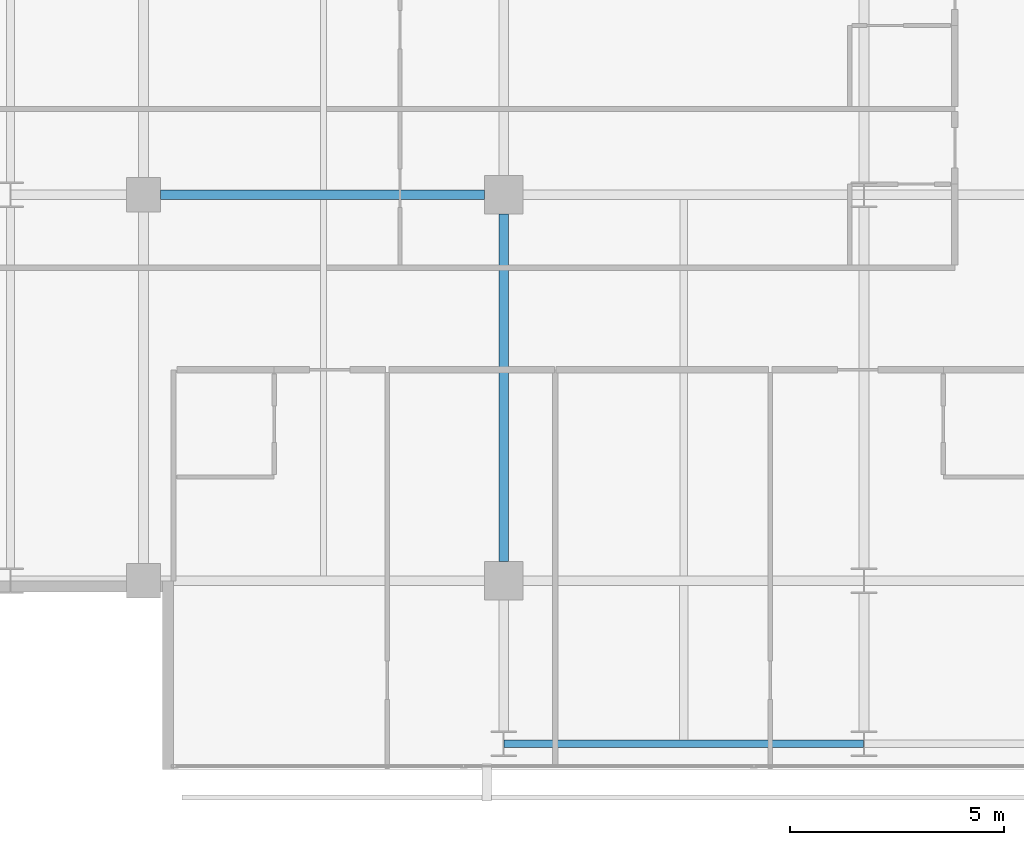
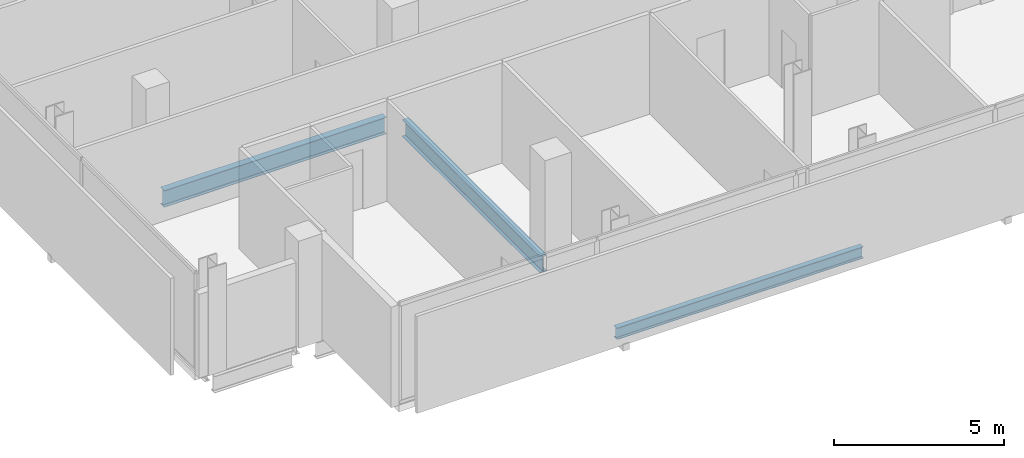
# One storey, part 5 of 34: 3 beams.
"""IFC4 building model written with IfcOpenShell, lengths in metres."""

import ifcopenshell
import ifcopenshell.guid

model = None  # the IFC model being written
_history = None  # IfcOwnerHistory: only IFC2X3 demands one
_inside = {}  # id of a spatial element -> (the spatial element, [elements in it])
_under = {}  # id of a project, library or spatial element -> (it, [spatial elements below it])
_declared = {}  # id of a project -> (the project, [libraries it declares])
_typed = {}  # id of a type object -> (the type object, [elements of that type])
_made_of = {}  # id of a material, layer set ... -> (it, [elements and type objects made of it])


def new_model(schema):
    """Start an empty IFC model of exactly this schema.

    Asked for "IFC4X3", IfcOpenShell would pick the latest addendum, in which some entities
    have other attributes; the version numbers below select the first issue.
    IFC2X3 requires an IfcOwnerHistory on every rooted entity: one is made here for all.
    """
    global model, _history
    if schema == "IFC4X3":
        model = ifcopenshell.file(schema_version=(4, 3, 0, 0))
    else:
        model = ifcopenshell.file(schema=schema)
    _inside.clear()
    _under.clear()
    _declared.clear()
    _typed.clear()
    _made_of.clear()
    _history = None
    if model.schema == "IFC2X3":
        org = make("IfcOrganization", Name="unknown")
        user = make(
            "IfcPersonAndOrganization",
            ThePerson=make("IfcPerson", FamilyName="unknown"),
            TheOrganization=org,
        )
        app = make(
            "IfcApplication",
            ApplicationDeveloper=org,
            Version="unknown",
            ApplicationFullName="unknown",
            ApplicationIdentifier="unknown",
        )
        _history = make(
            "IfcOwnerHistory",
            OwningUser=user,
            OwningApplication=app,
            ChangeAction="ADDED",
            CreationDate=0,
        )
    return model


def make(cls, **values):
    """One entity of the class cls with the attributes given. An attribute that is None is left unset."""
    return model.create_entity(
        cls, **{name: value for name, value in values.items() if value is not None}
    )


def rooted(cls, **values):
    """An entity with a GlobalId (a new one), such as an element, a storey or a relation."""
    return make(cls, GlobalId=ifcopenshell.guid.new(), OwnerHistory=_history, **values)


def si_unit(unit_type, name, prefix=None):
    """IfcSIUnit, for example si_unit("LENGTHUNIT", "METRE", prefix="MILLI")."""
    return make("IfcSIUnit", UnitType=unit_type, Prefix=prefix, Name=name)


def assignment(units):
    """IfcUnitAssignment: the units of a project."""
    return None if units is None else make("IfcUnitAssignment", Units=units)


def point(xyz):
    """IfcCartesianPoint."""
    return None if xyz is None else make("IfcCartesianPoint", Coordinates=xyz)


def direction(xyz):
    """IfcDirection."""
    return None if xyz is None else make("IfcDirection", DirectionRatios=xyz)


def frame(location, z_axis=None, x_axis=None):
    """IfcAxis2Placement3D, a coordinate frame: its origin and axes. An axis left out is left unset."""
    return make(
        "IfcAxis2Placement3D",
        Location=point(location),
        Axis=direction(z_axis),
        RefDirection=direction(x_axis),
    )


def frame_2d(location, x_axis=None):
    """IfcAxis2Placement2D, a coordinate frame in the plane: its origin and x axis."""
    return make(
        "IfcAxis2Placement2D", Location=point(location), RefDirection=direction(x_axis)
    )


def origin():
    """The frame at (0, 0, 0) with its axes left unset."""
    return frame((0.0, 0.0, 0.0))


def origin_2d():
    """The frame at (0, 0) in the plane with its x axis left unset."""
    return frame_2d((0.0, 0.0))


def place(relative_to, where):
    """IfcLocalPlacement: puts the frame where relative to a parent placement (None: the world)."""
    return make(
        "IfcLocalPlacement", PlacementRelTo=relative_to, RelativePlacement=where
    )


def context(
    kind, dimensions, precision=None, world=None, true_north=None, identifier=None
):
    """IfcGeometricRepresentationContext, for example the 3D "Model" context."""
    return make(
        "IfcGeometricRepresentationContext",
        ContextIdentifier=identifier,
        ContextType=kind,
        CoordinateSpaceDimension=dimensions,
        Precision=precision,
        WorldCoordinateSystem=world,
        TrueNorth=true_north,
    )


def subcontext(parent, identifier, kind, view, scale=None):
    """IfcGeometricRepresentationSubContext, for example "Body" below "Model"."""
    return make(
        "IfcGeometricRepresentationSubContext",
        ContextIdentifier=identifier,
        ContextType=kind,
        ParentContext=parent,
        TargetScale=scale,
        TargetView=view,
    )


def project(units=None, contexts=None):
    """IfcProject with its units and contexts."""
    return rooted(
        "IfcProject",
        Name="project",
        RepresentationContexts=contexts,
        UnitsInContext=assignment(units),
    )


def spatial(cls, under=None, at=None, **own):
    """A site, building, storey or space (cls), placed at a placement, below another one or the project."""
    s = rooted(cls, ObjectPlacement=at, **own)
    if under is not None:
        _under.setdefault(under.id(), (under, []))[1].append(s)
    return s


def profile(cls, at=None, kind="AREA", **sizes):
    """A parametric profile (cls). Its sizes go by their IFC names, for example OverallWidth=200.0."""
    return make(cls, ProfileType=kind, Position=at, **sizes)


def i_section(**sizes):
    """IfcIShapeProfileDef."""
    return profile("IfcIShapeProfileDef", **sizes)


def extrude(swept, where, along, depth):
    """IfcExtrudedAreaSolid: the profile swept, set in the frame where, extruded along a direction by depth."""
    return make(
        "IfcExtrudedAreaSolid",
        SweptArea=swept,
        Position=where,
        ExtrudedDirection=direction(along),
        Depth=depth,
    )


def shape(context_of_items, identifier, shape_type, items):
    """IfcShapeRepresentation: the items that make up one representation, for example the "Body"."""
    return make(
        "IfcShapeRepresentation",
        ContextOfItems=context_of_items,
        RepresentationIdentifier=identifier,
        RepresentationType=shape_type,
        Items=items,
    )


def material(Name=None, Category=None):
    """IfcMaterial."""
    return make("IfcMaterial", Name=Name, Category=Category)


def material_profile(
    of_material, cross_section, Name=None, Category=None, Priority=None
):
    """IfcMaterialProfile: a cross section and its material."""
    return make(
        "IfcMaterialProfile",
        Name=Name,
        Material=of_material,
        Profile=cross_section,
        Priority=Priority,
        Category=Category,
    )


def profile_set(profiles, Name=None, composite=None):
    """IfcMaterialProfileSet."""
    return make(
        "IfcMaterialProfileSet",
        Name=Name,
        MaterialProfiles=profiles,
        CompositeProfile=composite,
    )


def made_of(thing, what):
    """Note that an element or type object is made of a material, layer set ...; save() writes the relation."""
    if what is not None:
        _made_of.setdefault(what.id(), (what, []))[1].append(thing)
    return thing


def type_object(cls, material=None, **own):
    """A type object (cls), such as IfcWallType, which elements share."""
    return made_of(rooted(cls, **own), material)


def element(
    cls,
    number,
    at=None,
    inside=None,
    cuts=None,
    type_object=None,
    material=None,
    context=None,
    identifier="Body",
    shape_type=None,
    held_by="IfcProductDefinitionShape",
    body=None,
    shapes=None,
    **own,
):
    """One element of the class cls, such as IfcWall. Its Tag is "e" and its number.

    at: its placement. inside: the storey or other place that contains it. cuts: it is an
    opening in that element (IfcRelVoidsElement). A single representation is given by context,
    identifier, shape_type and body (its items); several are given by shapes. held_by: the class
    of the entity that holds the representations. save() writes the other relations.
    """
    e = rooted(cls, Tag="e%d" % number, ObjectPlacement=at, **own)
    if body is not None:
        shapes = [shape(context, identifier, shape_type, body)]
    if shapes is not None:
        e.Representation = make(held_by, Representations=shapes)
    if inside is not None:
        _inside.setdefault(inside.id(), (inside, []))[1].append(e)
    if cuts is not None:
        rooted(
            "IfcRelVoidsElement", RelatingBuildingElement=cuts, RelatedOpeningElement=e
        )
    if type_object is not None:
        _typed.setdefault(type_object.id(), (type_object, []))[1].append(e)
    return made_of(e, material)


def aggregate(whole, parts):
    """IfcRelAggregates: a whole, such as a stair, and the parts it consists of."""
    return rooted("IfcRelAggregates", RelatingObject=whole, RelatedObjects=parts)


def save(model, path):
    """Write the relations noted so far, then the file.

    IfcRelAggregates (storeys below a building ...), IfcRelContainedInSpatialStructure (elements
    in a storey), IfcRelDefinesByType, IfcRelAssociatesMaterial and IfcRelDeclares: one each for
    every whole, place, type object, material and project.
    """
    for whole, parts in _under.values():
        aggregate(whole, parts)
    for where, things in _inside.values():
        rooted(
            "IfcRelContainedInSpatialStructure",
            RelatedElements=things,
            RelatingStructure=where,
        )
    for kind, things in _typed.values():
        rooted("IfcRelDefinesByType", RelatedObjects=things, RelatingType=kind)
    for what, things in _made_of.values():
        rooted("IfcRelAssociatesMaterial", RelatedObjects=things, RelatingMaterial=what)
    for by, libraries in _declared.values():
        rooted("IfcRelDeclares", RelatingContext=by, RelatedDefinitions=libraries)
    model.write(path)


model = new_model("IFC4")

# Units and contexts
model_context = context("Model", 3, precision=1e-05, world=origin(), true_north=direction((0.0, 1.0)))
body_context = subcontext(model_context, "Body", "Model", "MODEL_VIEW")
ifc_project = project(units=[si_unit("LENGTHUNIT", "METRE"), si_unit("AREAUNIT", "SQUARE_METRE"), si_unit("VOLUMEUNIT", "CUBIC_METRE"), si_unit("PLANEANGLEUNIT", "RADIAN"), si_unit("MASSUNIT", "GRAM", prefix="KILO")], contexts=[model_context])

# Site, building, storey
site_placement = place(None, origin())
site = spatial("IfcSite", under=ifc_project, at=site_placement, CompositionType="ELEMENT")
building_placement = place(site_placement, origin())
building = spatial("IfcBuilding", under=site, at=building_placement, Name="Maruvema Waterfront Hotel and Observation Tower", CompositionType="ELEMENT")
storey_placement = place(building_placement, frame((0.0, 0.0, 189.0)))
storey = spatial("IfcBuildingStorey", under=building, at=storey_placement, Name="L46", CompositionType="ELEMENT", Elevation=189.0)

# Beams
ifc_material_1 = material(Name="Steel ASTM A572 Grade 50", Category="steel")
ifc_material_profile_1 = material_profile(ifc_material_1, i_section(OverallWidth=0.180908203125, OverallDepth=0.4169921875, WebThickness=0.010986328125, FlangeThickness=0.018310546875, FilletRadius=0.014892578125, at=origin_2d()), Name="W410x85.0")
ifc_profile_set_1 = profile_set([ifc_material_profile_1], Name="Steel ASTM A572 Grade 50")
beam_type_1 = type_object("IfcBeamType", Name="Perimeter Spandrel Beam W410x85.0", PredefinedType="SPANDREL", material=ifc_profile_set_1)
beam_1_placement = place(storey_placement, frame((25.21240234375, 5.199951171875, -0.448486328125), z_axis=(1.0, 0.0, 0.0), x_axis=(0.0, 1.0, 0.0)))
element("IfcBeam", 1, at=beam_1_placement, inside=storey, type_object=beam_type_1, Name="L46 Floor Girder EW-01", PredefinedType="SPANDREL", context=body_context, shape_type="SweptSolid", body=[
    extrude(i_section(OverallWidth=0.180908203125, OverallDepth=0.4169921875, WebThickness=0.010986328125, FlangeThickness=0.018310546875, FilletRadius=0.014892578125, at=origin_2d()), origin(), (0.0, 0.0, 1.0), 8.375),
])
ifc_material_2 = material(Name="Steel ASTM A572 Grade 50", Category="steel")
ifc_material_profile_2 = material_profile(ifc_material_2, i_section(OverallWidth=0.22802734375, OverallDepth=0.60302734375, WebThickness=0.010498046875, FlangeThickness=0.014892578125, FilletRadius=0.01806640625, at=origin_2d()), Name="W610x101.0")
ifc_profile_set_2 = profile_set([ifc_material_profile_2], Name="Steel ASTM A572 Grade 50")
beam_type_2 = type_object("IfcBeamType", Name="Primary Floor Girder W610x101.0", PredefinedType="BEAM", material=ifc_profile_set_2)
beam_2_placement = place(storey_placement, frame((17.199951171875, 18.0, -0.54150390625), z_axis=(1.0, 0.0, 0.0), x_axis=(0.0, 1.0, 0.0)))
element("IfcBeam", 2, at=beam_2_placement, inside=storey, type_object=beam_type_2, Name="L46 Floor Girder EW-12", PredefinedType="BEAM", context=body_context, shape_type="SweptSolid", body=[
    extrude(i_section(OverallWidth=0.22802734375, OverallDepth=0.60302734375, WebThickness=0.010498046875, FlangeThickness=0.014892578125, FilletRadius=0.01806640625, at=origin_2d()), origin(), (0.0, 0.0, 1.0), 7.550048828125),
])
beam_3_placement = place(storey_placement, frame((25.199951171875, 9.449951171875, -0.54150390625), z_axis=(0.0, 1.0, 0.0), x_axis=(-1.0, 0.0, 0.0)))
element("IfcBeam", 3, at=beam_3_placement, inside=storey, type_object=beam_type_2, Name="L46 Floor Girder NS-10", PredefinedType="BEAM", context=body_context, shape_type="SweptSolid", body=[
    extrude(i_section(OverallWidth=0.22802734375, OverallDepth=0.60302734375, WebThickness=0.010498046875, FlangeThickness=0.014892578125, FilletRadius=0.01806640625, at=origin_2d()), origin(), (0.0, 0.0, 1.0), 8.10009765625),
])

save(model, "model.ifc")
